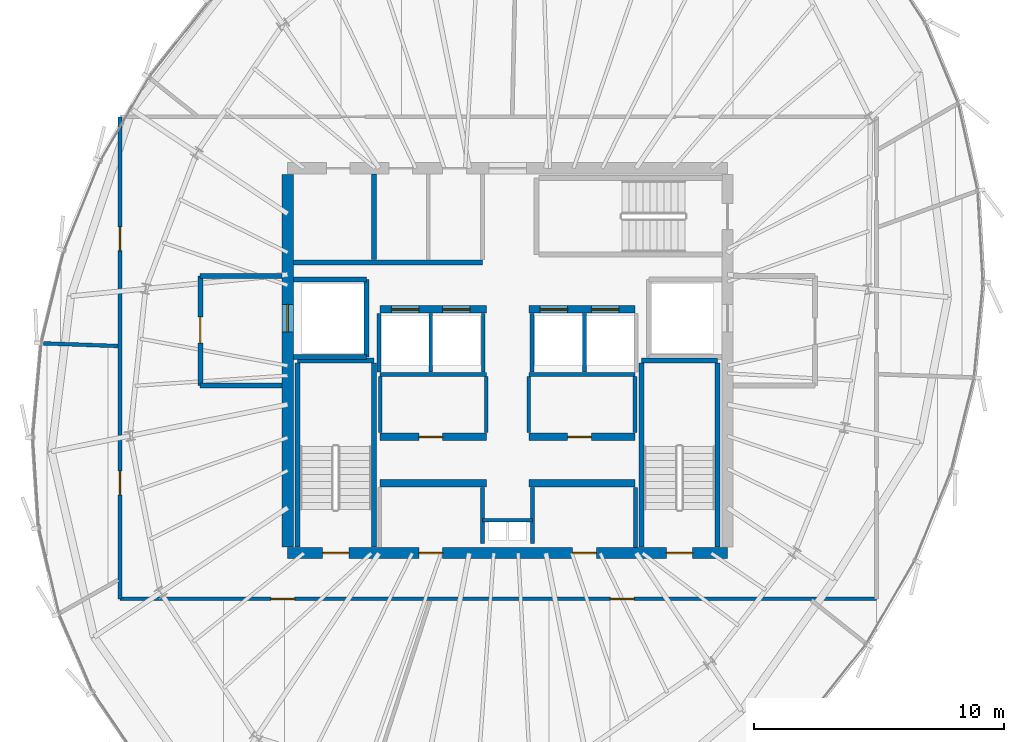
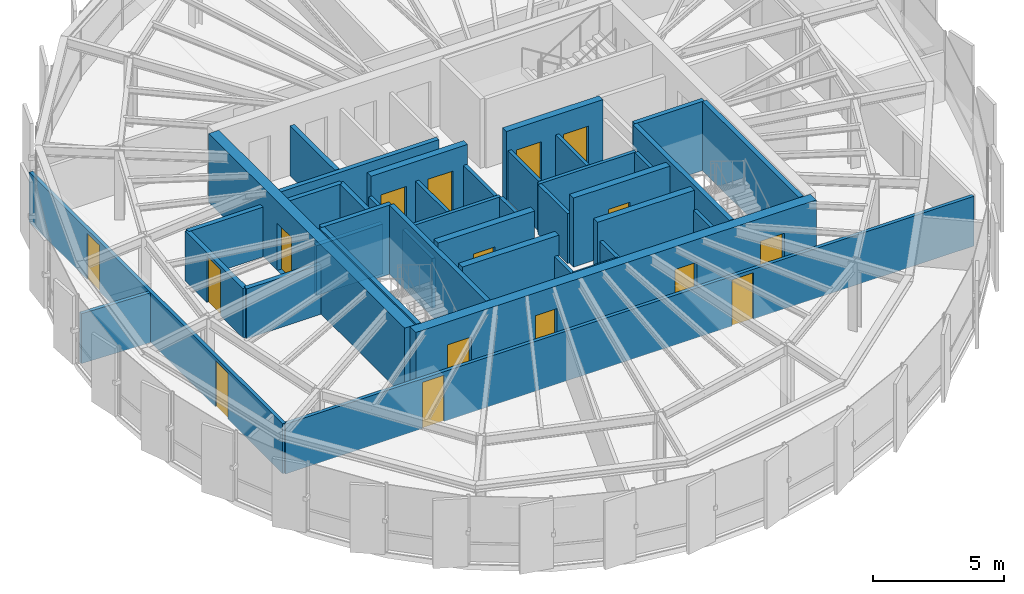
# One storey, part 25 of 31: 40 walls, 16 doors, 16 openings.
"""IFC4 building model written with IfcOpenShell, lengths in metres."""

import ifcopenshell
import ifcopenshell.guid

model = None  # the IFC model being written
_history = None  # IfcOwnerHistory: only IFC2X3 demands one
_inside = {}  # id of a spatial element -> (the spatial element, [elements in it])
_under = {}  # id of a project, library or spatial element -> (it, [spatial elements below it])
_declared = {}  # id of a project -> (the project, [libraries it declares])
_typed = {}  # id of a type object -> (the type object, [elements of that type])
_made_of = {}  # id of a material, layer set ... -> (it, [elements and type objects made of it])


def new_model(schema):
    """Start an empty IFC model of exactly this schema.

    Asked for "IFC4X3", IfcOpenShell would pick the latest addendum, in which some entities
    have other attributes; the version numbers below select the first issue.
    IFC2X3 requires an IfcOwnerHistory on every rooted entity: one is made here for all.
    """
    global model, _history
    if schema == "IFC4X3":
        model = ifcopenshell.file(schema_version=(4, 3, 0, 0))
    else:
        model = ifcopenshell.file(schema=schema)
    _inside.clear()
    _under.clear()
    _declared.clear()
    _typed.clear()
    _made_of.clear()
    _history = None
    if model.schema == "IFC2X3":
        org = make("IfcOrganization", Name="unknown")
        user = make(
            "IfcPersonAndOrganization",
            ThePerson=make("IfcPerson", FamilyName="unknown"),
            TheOrganization=org,
        )
        app = make(
            "IfcApplication",
            ApplicationDeveloper=org,
            Version="unknown",
            ApplicationFullName="unknown",
            ApplicationIdentifier="unknown",
        )
        _history = make(
            "IfcOwnerHistory",
            OwningUser=user,
            OwningApplication=app,
            ChangeAction="ADDED",
            CreationDate=0,
        )
    return model


def make(cls, **values):
    """One entity of the class cls with the attributes given. An attribute that is None is left unset."""
    return model.create_entity(
        cls, **{name: value for name, value in values.items() if value is not None}
    )


def rooted(cls, **values):
    """An entity with a GlobalId (a new one), such as an element, a storey or a relation."""
    return make(cls, GlobalId=ifcopenshell.guid.new(), OwnerHistory=_history, **values)


def si_unit(unit_type, name, prefix=None):
    """IfcSIUnit, for example si_unit("LENGTHUNIT", "METRE", prefix="MILLI")."""
    return make("IfcSIUnit", UnitType=unit_type, Prefix=prefix, Name=name)


def assignment(units):
    """IfcUnitAssignment: the units of a project."""
    return None if units is None else make("IfcUnitAssignment", Units=units)


def point(xyz):
    """IfcCartesianPoint."""
    return None if xyz is None else make("IfcCartesianPoint", Coordinates=xyz)


def direction(xyz):
    """IfcDirection."""
    return None if xyz is None else make("IfcDirection", DirectionRatios=xyz)


def frame(location, z_axis=None, x_axis=None):
    """IfcAxis2Placement3D, a coordinate frame: its origin and axes. An axis left out is left unset."""
    return make(
        "IfcAxis2Placement3D",
        Location=point(location),
        Axis=direction(z_axis),
        RefDirection=direction(x_axis),
    )


def frame_2d(location, x_axis=None):
    """IfcAxis2Placement2D, a coordinate frame in the plane: its origin and x axis."""
    return make(
        "IfcAxis2Placement2D", Location=point(location), RefDirection=direction(x_axis)
    )


def origin():
    """The frame at (0, 0, 0) with its axes left unset."""
    return frame((0.0, 0.0, 0.0))


def place(relative_to, where):
    """IfcLocalPlacement: puts the frame where relative to a parent placement (None: the world)."""
    return make(
        "IfcLocalPlacement", PlacementRelTo=relative_to, RelativePlacement=where
    )


def context(
    kind, dimensions, precision=None, world=None, true_north=None, identifier=None
):
    """IfcGeometricRepresentationContext, for example the 3D "Model" context."""
    return make(
        "IfcGeometricRepresentationContext",
        ContextIdentifier=identifier,
        ContextType=kind,
        CoordinateSpaceDimension=dimensions,
        Precision=precision,
        WorldCoordinateSystem=world,
        TrueNorth=true_north,
    )


def subcontext(parent, identifier, kind, view, scale=None):
    """IfcGeometricRepresentationSubContext, for example "Body" below "Model"."""
    return make(
        "IfcGeometricRepresentationSubContext",
        ContextIdentifier=identifier,
        ContextType=kind,
        ParentContext=parent,
        TargetScale=scale,
        TargetView=view,
    )


def project(units=None, contexts=None):
    """IfcProject with its units and contexts."""
    return rooted(
        "IfcProject",
        Name="project",
        RepresentationContexts=contexts,
        UnitsInContext=assignment(units),
    )


def spatial(cls, under=None, at=None, **own):
    """A site, building, storey or space (cls), placed at a placement, below another one or the project."""
    s = rooted(cls, ObjectPlacement=at, **own)
    if under is not None:
        _under.setdefault(under.id(), (under, []))[1].append(s)
    return s


def profile(cls, at=None, kind="AREA", **sizes):
    """A parametric profile (cls). Its sizes go by their IFC names, for example OverallWidth=200.0."""
    return make(cls, ProfileType=kind, Position=at, **sizes)


def rectangle(**sizes):
    """IfcRectangleProfileDef."""
    return profile("IfcRectangleProfileDef", **sizes)


def extrude(swept, where, along, depth):
    """IfcExtrudedAreaSolid: the profile swept, set in the frame where, extruded along a direction by depth."""
    return make(
        "IfcExtrudedAreaSolid",
        SweptArea=swept,
        Position=where,
        ExtrudedDirection=direction(along),
        Depth=depth,
    )


def shape(context_of_items, identifier, shape_type, items):
    """IfcShapeRepresentation: the items that make up one representation, for example the "Body"."""
    return make(
        "IfcShapeRepresentation",
        ContextOfItems=context_of_items,
        RepresentationIdentifier=identifier,
        RepresentationType=shape_type,
        Items=items,
    )


def source(mapping_origin, context_of_items, identifier, shape_type, items):
    """IfcRepresentationMap: a shape defined once, which mapped items show again and again."""
    return make(
        "IfcRepresentationMap",
        MappingOrigin=mapping_origin,
        MappedRepresentation=shape(context_of_items, identifier, shape_type, items),
    )


def transform(
    local_origin,
    x_axis=None,
    y_axis=None,
    z_axis=None,
    scale=None,
    scale2=None,
    scale3=None,
    uniform=True,
):
    """IfcCartesianTransformationOperator3D, or its non-uniform kind. x_axis, y_axis, z_axis: its Axis1, 2, 3."""
    if uniform:
        return make(
            "IfcCartesianTransformationOperator3D",
            Axis1=direction(x_axis),
            Axis2=direction(y_axis),
            LocalOrigin=point(local_origin),
            Scale=scale,
            Axis3=direction(z_axis),
        )
    return make(
        "IfcCartesianTransformationOperator3DnonUniform",
        Axis1=direction(x_axis),
        Axis2=direction(y_axis),
        LocalOrigin=point(local_origin),
        Scale=scale,
        Axis3=direction(z_axis),
        Scale2=scale2,
        Scale3=scale3,
    )


def mapped(mapping_source, mapping_target):
    """IfcMappedItem: shows the shape of a source again, moved by a transform."""
    return make(
        "IfcMappedItem", MappingSource=mapping_source, MappingTarget=mapping_target
    )


def material(Name=None, Category=None):
    """IfcMaterial."""
    return make("IfcMaterial", Name=Name, Category=Category)


def layer(
    of_material, thickness, ventilated=None, Name=None, Category=None, Priority=None
):
    """IfcMaterialLayer: one layer of a wall or slab, of a material (None: an air gap)."""
    return make(
        "IfcMaterialLayer",
        Material=of_material,
        LayerThickness=thickness,
        IsVentilated=ventilated,
        Name=Name,
        Category=Category,
        Priority=Priority,
    )


def layer_set(layers, Name=None):
    """IfcMaterialLayerSet."""
    return make("IfcMaterialLayerSet", MaterialLayers=layers, LayerSetName=Name)


def made_of(thing, what):
    """Note that an element or type object is made of a material, layer set ...; save() writes the relation."""
    if what is not None:
        _made_of.setdefault(what.id(), (what, []))[1].append(thing)
    return thing


def type_object(cls, material=None, **own):
    """A type object (cls), such as IfcWallType, which elements share."""
    return made_of(rooted(cls, **own), material)


def element(
    cls,
    number,
    at=None,
    inside=None,
    cuts=None,
    type_object=None,
    material=None,
    context=None,
    identifier="Body",
    shape_type=None,
    held_by="IfcProductDefinitionShape",
    body=None,
    shapes=None,
    **own,
):
    """One element of the class cls, such as IfcWall. Its Tag is "e" and its number.

    at: its placement. inside: the storey or other place that contains it. cuts: it is an
    opening in that element (IfcRelVoidsElement). A single representation is given by context,
    identifier, shape_type and body (its items); several are given by shapes. held_by: the class
    of the entity that holds the representations. save() writes the other relations.
    """
    e = rooted(cls, Tag="e%d" % number, ObjectPlacement=at, **own)
    if body is not None:
        shapes = [shape(context, identifier, shape_type, body)]
    if shapes is not None:
        e.Representation = make(held_by, Representations=shapes)
    if inside is not None:
        _inside.setdefault(inside.id(), (inside, []))[1].append(e)
    if cuts is not None:
        rooted(
            "IfcRelVoidsElement", RelatingBuildingElement=cuts, RelatedOpeningElement=e
        )
    if type_object is not None:
        _typed.setdefault(type_object.id(), (type_object, []))[1].append(e)
    return made_of(e, material)


def fill(opening, filler):
    """IfcRelFillsElement: the door or window that sits in an opening."""
    return rooted(
        "IfcRelFillsElement",
        RelatingOpeningElement=opening,
        RelatedBuildingElement=filler,
    )


def aggregate(whole, parts):
    """IfcRelAggregates: a whole, such as a stair, and the parts it consists of."""
    return rooted("IfcRelAggregates", RelatingObject=whole, RelatedObjects=parts)


def save(model, path):
    """Write the relations noted so far, then the file.

    IfcRelAggregates (storeys below a building ...), IfcRelContainedInSpatialStructure (elements
    in a storey), IfcRelDefinesByType, IfcRelAssociatesMaterial and IfcRelDeclares: one each for
    every whole, place, type object, material and project.
    """
    for whole, parts in _under.values():
        aggregate(whole, parts)
    for where, things in _inside.values():
        rooted(
            "IfcRelContainedInSpatialStructure",
            RelatedElements=things,
            RelatingStructure=where,
        )
    for kind, things in _typed.values():
        rooted("IfcRelDefinesByType", RelatedObjects=things, RelatingType=kind)
    for what, things in _made_of.values():
        rooted("IfcRelAssociatesMaterial", RelatedObjects=things, RelatingMaterial=what)
    for by, libraries in _declared.values():
        rooted("IfcRelDeclares", RelatingContext=by, RelatedDefinitions=libraries)
    model.write(path)


model = new_model("IFC4")

# Units and contexts
model_context = context("Model", 3, precision=1e-05, world=origin(), true_north=direction((0.0, 1.0)))
body_context = subcontext(model_context, "Body", "Model", "MODEL_VIEW")
ifc_project = project(units=[si_unit("LENGTHUNIT", "METRE"), si_unit("AREAUNIT", "SQUARE_METRE"), si_unit("VOLUMEUNIT", "CUBIC_METRE"), si_unit("PLANEANGLEUNIT", "RADIAN"), si_unit("MASSUNIT", "GRAM", prefix="KILO"), si_unit("THERMODYNAMICTEMPERATUREUNIT", "KELVIN")], contexts=[model_context])

# Site, building, storey
site_placement = place(None, origin())
site = spatial("IfcSite", under=ifc_project, at=site_placement, CompositionType="ELEMENT")
building_placement = place(site_placement, origin())
building = spatial("IfcBuilding", under=site, at=building_placement, Name="Kethvar Cultural Tower", CompositionType="ELEMENT")
storey_placement = place(building_placement, frame((0.0, 0.0, 290.5)))
storey = spatial("IfcBuildingStorey", under=building, at=storey_placement, Name="L77", CompositionType="ELEMENT", Elevation=290.5)

# Wall, openings, doors
ifc_material_1 = material(Name="Concrete C50/60", Category="concrete")
ifc_layer_1 = layer(ifc_material_1, 0.449951171875, Name="Concrete C50/60", Category="concrete")
ifc_layer_set_1 = layer_set([ifc_layer_1], Name="Concrete C50/60 (450 mm)")
wall_type_1 = type_object("IfcWallType", Name="WL-CORE-450", PredefinedType="SHEAR", material=ifc_layer_set_1)
wall_1_placement = place(storey_placement, frame((38.0, 20.10009765625, 0.0), z_axis=(0.0, 0.0, 1.0), x_axis=(1.0, 0.0, 0.0)))
wall_1 = element("IfcWall", 1, at=wall_1_placement, inside=storey, type_object=wall_type_1, Name="L77 Core Shear Wall S", PredefinedType="SHEAR", context=body_context, shape_type="SweptSolid", body=[
    extrude(rectangle(XDim=17.60009765625, YDim=0.449951171875, at=frame_2d((8.800048828125, 0.0))), origin(), (0.0, 0.0, 1.0), 3.2099609375),
])
opening_1_placement = place(wall_1_placement, frame((1.39990234375, 0.0, 0.0)))
opening_1 = element("IfcOpeningElement", 2, at=opening_1_placement, cuts=wall_1, Name="Opening D-L77-S1", PredefinedType="OPENING", context=body_context, shape_type="SweptSolid", body=[
    extrude(rectangle(XDim=1.050048828125, YDim=2.14990234375, at=frame_2d((0.52490234375, 1.074951171875))), frame((0.0, 0.23486328125, 0.0), z_axis=(0.0, -1.0, 0.0), x_axis=(1.0, 0.0, 0.0)), (0.0, 0.0, 1.0), 0.469970703125),
])
opening_2_placement = place(wall_1_placement, frame((15.14990234375, 0.0, 0.0)))
opening_2 = element("IfcOpeningElement", 3, at=opening_2_placement, cuts=wall_1, Name="Opening D-L77-ST2", PredefinedType="OPENING", context=body_context, shape_type="SweptSolid", body=[
    extrude(rectangle(XDim=1.050048828125, YDim=2.14990234375, at=frame_2d((0.52490234375, 1.074951171875))), frame((0.0, 0.23486328125, 0.0), z_axis=(0.0, -1.0, 0.0), x_axis=(1.0, 0.0, 0.0)), (0.0, 0.0, 1.0), 0.469970703125),
])
opening_3_placement = place(wall_1_placement, frame((5.25, 0.0, 0.0)))
opening_3 = element("IfcOpeningElement", 4, at=opening_3_placement, cuts=wall_1, Name="Opening D-L77-V1", PredefinedType="OPENING", context=body_context, shape_type="SweptSolid", body=[
    extrude(rectangle(XDim=0.949951171875, YDim=2.14990234375, at=frame_2d((0.47509765625, 1.074951171875))), frame((0.0, 0.23486328125, 0.0), z_axis=(0.0, -1.0, 0.0), x_axis=(1.0, 0.0, 0.0)), (0.0, 0.0, 1.0), 0.469970703125),
])
opening_4_placement = place(wall_1_placement, frame((11.39990234375, 0.0, 0.0)))
opening_4 = element("IfcOpeningElement", 5, at=opening_4_placement, cuts=wall_1, Name="Opening D-L77-V2", PredefinedType="OPENING", context=body_context, shape_type="SweptSolid", body=[
    extrude(rectangle(XDim=0.949951171875, YDim=2.14990234375, at=frame_2d((0.47509765625, 1.074951171875))), frame((0.0, 0.23486328125, 0.0), z_axis=(0.0, -1.0, 0.0), x_axis=(1.0, 0.0, 0.0)), (0.0, 0.0, 1.0), 0.469970703125),
])
ifc_material_2 = material(Name="Steel S355J2", Category="steel")
door_type_1 = type_object("IfcDoorType", Name="DR-FD60-1050", OperationType="NOTDEFINED", PredefinedType="DOOR", material=ifc_material_2)
shared_shape_1 = source(origin(), body_context, "Body", "SweptSolid", [
    extrude(rectangle(XDim=1.050048828125, YDim=2.14990234375, at=frame_2d((0.52490234375, 1.074951171875))), frame((0.0, 0.02490234375, 0.0), z_axis=(0.0, -1.0, 0.0), x_axis=(1.0, 0.0, 0.0)), (0.0, 0.0, 1.0), 0.050048828125),
])
door_1_placement = place(opening_1_placement, origin())
door_1 = element("IfcDoor", 6, at=door_1_placement, inside=storey, type_object=door_type_1, Name="L77 Exit Stair 1 Door", OperationType="SINGLE_SWING_LEFT", OverallHeight=2.14990234375, OverallWidth=1.050048828125, PredefinedType="DOOR", context=body_context, shape_type="MappedRepresentation", body=[
    mapped(shared_shape_1, transform((0.0, 0.0, 0.0), scale=1.0)),
])
fill(opening_1, door_1)
door_2_placement = place(opening_2_placement, origin())
door_2 = element("IfcDoor", 7, at=door_2_placement, inside=storey, type_object=door_type_1, Name="L77 Exit Stair 2 Door", OperationType="SINGLE_SWING_RIGHT", OverallHeight=2.14990234375, OverallWidth=1.050048828125, PredefinedType="DOOR", context=body_context, shape_type="MappedRepresentation", body=[
    mapped(shared_shape_1, transform((0.0, 0.0, 0.0), scale=1.0)),
])
fill(opening_2, door_2)
ifc_material_3 = material(Name="Architectural Oak Timber", Category="wood")
door_type_2 = type_object("IfcDoorType", Name="DR-FD30-950", OperationType="NOTDEFINED", PredefinedType="DOOR", material=ifc_material_3)
shared_shape_2 = source(origin(), body_context, "Body", "SweptSolid", [
    extrude(rectangle(XDim=0.949951171875, YDim=2.14990234375, at=frame_2d((0.47509765625, 1.074951171875))), frame((0.0, 0.02490234375, 0.0), z_axis=(0.0, -1.0, 0.0), x_axis=(1.0, 0.0, 0.0)), (0.0, 0.0, 1.0), 0.050048828125),
])
door_3_placement = place(opening_3_placement, origin())
door_3 = element("IfcDoor", 8, at=door_3_placement, inside=storey, type_object=door_type_2, Name="L77 Reclaimed West Room Door", OperationType="SINGLE_SWING_LEFT", OverallHeight=2.14990234375, OverallWidth=0.949951171875, PredefinedType="DOOR", context=body_context, shape_type="MappedRepresentation", body=[
    mapped(shared_shape_2, transform((0.0, 0.0, 0.0), scale=1.0)),
])
fill(opening_3, door_3)
door_4_placement = place(opening_4_placement, origin())
door_4 = element("IfcDoor", 9, at=door_4_placement, inside=storey, type_object=door_type_2, Name="L77 Reclaimed East Room Door", OperationType="SINGLE_SWING_RIGHT", OverallHeight=2.14990234375, OverallWidth=0.949951171875, PredefinedType="DOOR", context=body_context, shape_type="MappedRepresentation", body=[
    mapped(shared_shape_2, transform((0.0, 0.0, 0.0), scale=1.0)),
])
fill(opening_4, door_4)

# Wall, opening, door
wall_2_placement = place(storey_placement, frame((38.0, 35.260009765625, 0.0), z_axis=(0.0, 0.0, 1.0), x_axis=(0.0, -1.0, 0.0)))
wall_2 = element("IfcWall", 10, at=wall_2_placement, inside=storey, type_object=wall_type_1, Name="L77 Core Shear Wall W", PredefinedType="SHEAR", context=body_context, shape_type="SweptSolid", body=[
    extrude(rectangle(XDim=14.919921875, YDim=0.449951171875, at=frame_2d((7.4599609375, 0.0))), origin(), (0.0, 0.0, 1.0), 3.2099609375),
])
opening_5_placement = place(wall_2_placement, frame((5.2099609375, 0.0, 0.0)))
opening_5 = element("IfcOpeningElement", 11, at=opening_5_placement, cuts=wall_2, Name="Opening LD-1", PredefinedType="OPENING", context=body_context, shape_type="SweptSolid", body=[
    extrude(rectangle(XDim=1.10009765625, YDim=2.199951171875, at=frame_2d((0.550048828125, 1.10009765625))), frame((0.0, 0.23486328125, 0.0), z_axis=(0.0, -1.0, 0.0), x_axis=(1.0, 0.0, 0.0)), (0.0, 0.0, 1.0), 0.469970703125),
])
door_type_3 = type_object("IfcDoorType", Name="DR-LIFT-SLIDE-1100", OperationType="NOTDEFINED", PredefinedType="DOOR", material=ifc_material_2)
shared_shape_3 = source(origin(), body_context, "Body", "SweptSolid", [
    extrude(rectangle(XDim=1.10009765625, YDim=2.199951171875, at=frame_2d((0.550048828125, 1.10009765625))), frame((0.0, 0.02490234375, 0.0), z_axis=(0.0, -1.0, 0.0), x_axis=(1.0, 0.0, 0.0)), (0.0, 0.0, 1.0), 0.050048828125),
])
door_5_placement = place(opening_5_placement, origin())
door_5 = element("IfcDoor", 12, at=door_5_placement, inside=storey, type_object=door_type_3, Name="L77 Firefighting Lift Landing Door FFL-01", OperationType="SLIDING_TO_LEFT", OverallHeight=2.199951171875, OverallWidth=1.10009765625, PredefinedType="DOOR", context=body_context, shape_type="MappedRepresentation", body=[
    mapped(shared_shape_3, transform((0.0, 0.0, 0.0), scale=1.0)),
])
fill(opening_5, door_5)

# Walls
ifc_material_4 = material(Name="Gypsum Fireboard Partition")
ifc_layer_2 = layer(ifc_material_4, 0.14990234375, Name="Gypsum Fireboard Partition")
ifc_layer_set_2 = layer_set([ifc_layer_2], Name="Gypsum Fireboard Partition (150 mm)")
wall_type_2 = type_object("IfcWallType", Name="WL-FIRE-150", PredefinedType="PARTITIONING", material=ifc_layer_set_2)
wall_3_placement = place(storey_placement, frame((45.800048828125, 21.419921875, 0.0), z_axis=(0.0, 0.0, 1.0), x_axis=(1.0, 0.0, 0.0)))
element("IfcWall", 13, at=wall_3_placement, inside=storey, type_object=wall_type_2, Name="L77 Core Riser Wall", PredefinedType="PARTITIONING", context=body_context, shape_type="SweptSolid", body=[
    extrude(rectangle(XDim=2.0, YDim=0.14990234375, at=frame_2d((1.0, 0.0))), origin(), (0.0, 0.0, 1.0), 2.31494140625),
])
for number, where, z_axis, x_axis, name in (
    (14, (45.800048828125, 20.47998046875, 0.0), (0.0, 0.0, 1.0), (0.0, 1.0, 0.0), "L77 Core Riser West Wall"),
    (15, (47.800048828125, 20.47998046875, 0.0), (0.0, 0.0, 1.0), (0.0, 1.0, 0.0), "L77 Core Riser East Wall"),
):
    element("IfcWall", number, at=place(storey_placement, frame(where, z_axis=z_axis, x_axis=x_axis)), inside=storey, type_object=wall_type_2, Name=name, PredefinedType="PARTITIONING", context=body_context, shape_type="SweptSolid", body=[
        extrude(rectangle(XDim=2.239990234375, YDim=0.14990234375, at=frame_2d((1.1201171875, 0.0))), origin(), (0.0, 0.0, 1.0), 2.31494140625),
    ])
wall_4_placement = place(storey_placement, frame((51.919921875, 20.3349609375, 0.0), z_axis=(0.0, 0.0, 1.0), x_axis=(0.0, 1.0, 0.0)))
element("IfcWall", 16, at=wall_4_placement, inside=storey, type_object=wall_type_2, Name="L77 Reclaimed East Outer Wall", PredefinedType="PARTITIONING", context=body_context, shape_type="SweptSolid", body=[
    extrude(rectangle(XDim=2.39501953125, YDim=0.14990234375, at=frame_2d((1.197509765625, 0.0))), origin(), (0.0, 0.0, 1.0), 2.31494140625),
])
for number, where, z_axis, x_axis, name in (
    (17, (41.699951171875, 27.25, 0.0), (0.0, 0.0, 1.0), (1.0, 0.0, 0.0), "L77 Reclaimed Mid Wall W"),
    (18, (47.64990234375, 27.25, 0.0), (0.0, 0.0, 1.0), (1.0, 0.0, 0.0), "L77 Reclaimed Mid Wall E"),
):
    element("IfcWall", number, at=place(storey_placement, frame(where, z_axis=z_axis, x_axis=x_axis)), inside=storey, type_object=wall_type_2, Name=name, PredefinedType="PARTITIONING", context=body_context, shape_type="SweptSolid", body=[
        extrude(rectangle(XDim=4.25, YDim=0.14990234375, at=frame_2d((2.125, 0.0))), origin(), (0.0, 0.0, 1.0), 2.31494140625),
    ])
for number, where, z_axis, x_axis, name in (
    (19, (41.699951171875, 24.919921875, 0.0), (0.0, 0.0, 1.0), (0.0, 1.0, 0.0), "L77 Reclaimed Mid Outer W"),
    (20, (45.949951171875, 24.919921875, 0.0), (0.0, 0.0, 1.0), (0.0, 1.0, 0.0), "L77 Reclaimed Mid Spine W"),
    (21, (47.64990234375, 24.919921875, 0.0), (0.0, 0.0, 1.0), (0.0, 1.0, 0.0), "L77 Reclaimed Mid Spine E"),
    (22, (51.89990234375, 24.919921875, 0.0), (0.0, 0.0, 1.0), (0.0, 1.0, 0.0), "L77 Reclaimed Mid Outer E"),
):
    element("IfcWall", number, at=place(storey_placement, frame(where, z_axis=z_axis, x_axis=x_axis)), inside=storey, type_object=wall_type_2, Name=name, PredefinedType="PARTITIONING", context=body_context, shape_type="SweptSolid", body=[
        extrude(rectangle(XDim=2.239990234375, YDim=0.14990234375, at=frame_2d((1.1201171875, 0.0))), origin(), (0.0, 0.0, 1.0), 2.31494140625),
    ])
for number, where, z_axis, x_axis, name in (
    (23, (41.64990234375, 27.340087890625, 0.0), (0.0, 0.0, 1.0), (0.0, 1.0, 0.0), "L77 High-Rise Lift Shaft Outer Wall W"),
    (24, (43.72509765625, 27.340087890625, 0.0), (0.0, 0.0, 1.0), (0.0, 1.0, 0.0), "L77 High-Rise Lift Shaft Divider W"),
    (25, (45.824951171875, 27.340087890625, 0.0), (0.0, 0.0, 1.0), (0.0, 1.0, 0.0), "L77 High-Rise Lift Shaft Concourse Wall W"),
    (26, (47.77490234375, 27.340087890625, 0.0), (0.0, 0.0, 1.0), (0.0, 1.0, 0.0), "L77 High-Rise Lift Shaft Concourse Wall E"),
    (27, (49.875, 27.340087890625, 0.0), (0.0, 0.0, 1.0), (0.0, 1.0, 0.0), "L77 High-Rise Lift Shaft Divider E"),
):
    element("IfcWall", number, at=place(storey_placement, frame(where, z_axis=z_axis, x_axis=x_axis)), inside=storey, type_object=wall_type_2, Name=name, PredefinedType="PARTITIONING", context=body_context, shape_type="SweptSolid", body=[
        extrude(rectangle(XDim=2.33984375, YDim=0.14990234375, at=frame_2d((1.169921875, 0.0))), origin(), (0.0, 0.0, 1.0), 2.31494140625),
    ])

# Wall, openings, doors
wall_5_placement = place(storey_placement, frame((31.2900390625, 18.26904296875, 0.0), z_axis=(0.0, 0.0, 1.0), x_axis=(1.0, 0.0, 0.0)))
wall_5 = element("IfcWall", 28, at=wall_5_placement, inside=storey, type_object=wall_type_2, Name="L77 Corridor Rated Wall S", PredefinedType="PARTITIONING", context=body_context, shape_type="SweptSolid", body=[
    extrude(rectangle(XDim=30.27392578125, YDim=0.14990234375, at=frame_2d((15.136962890625, 0.0))), origin(), (0.0, 0.0, 1.0), 2.31494140625),
])
opening_6_placement = place(wall_5_placement, frame((6.032958984375, 0.0, 0.0)))
opening_6 = element("IfcOpeningElement", 29, at=opening_6_placement, cuts=wall_5, Name="Opening D-L77-01", PredefinedType="OPENING", context=body_context, shape_type="SweptSolid", body=[
    extrude(rectangle(XDim=0.949951171875, YDim=2.14990234375, at=frame_2d((0.47509765625, 1.074951171875))), frame((0.0, 0.0849609375, 0.0), z_axis=(0.0, -1.0, 0.0), x_axis=(1.0, 0.0, 0.0)), (0.0, 0.0, 1.0), 0.169921875),
])
opening_7_placement = place(wall_5_placement, frame((19.62451171875, 0.0, 0.0)))
opening_7 = element("IfcOpeningElement", 30, at=opening_7_placement, cuts=wall_5, Name="Opening D-L77-02", PredefinedType="OPENING", context=body_context, shape_type="SweptSolid", body=[
    extrude(rectangle(XDim=0.949951171875, YDim=2.14990234375, at=frame_2d((0.47509765625, 1.074951171875))), frame((0.0, 0.0849609375, 0.0), z_axis=(0.0, -1.0, 0.0), x_axis=(1.0, 0.0, 0.0)), (0.0, 0.0, 1.0), 0.169921875),
])
door_6_placement = place(opening_6_placement, origin())
door_6 = element("IfcDoor", 31, at=door_6_placement, inside=storey, type_object=door_type_2, Name="L77 Museum Design Book Shop 01 Door", OperationType="SINGLE_SWING_RIGHT", OverallHeight=2.14990234375, OverallWidth=0.949951171875, PredefinedType="DOOR", context=body_context, shape_type="MappedRepresentation", body=[
    mapped(shared_shape_2, transform((0.0, 0.0, 0.0), scale=1.0)),
])
fill(opening_6, door_6)
door_7_placement = place(opening_7_placement, origin())
door_7 = element("IfcDoor", 32, at=door_7_placement, inside=storey, type_object=door_type_2, Name="L77 Exhibition Print Shop 02 Door", OperationType="SINGLE_SWING_LEFT", OverallHeight=2.14990234375, OverallWidth=0.949951171875, PredefinedType="DOOR", context=body_context, shape_type="MappedRepresentation", body=[
    mapped(shared_shape_2, transform((0.0, 0.0, 0.0), scale=1.0)),
])
fill(opening_7, door_7)

wall_6_placement = place(storey_placement, frame((31.2900390625, 37.56201171875, 0.0), z_axis=(0.0, 0.0, 1.0), x_axis=(0.0, -1.0, 0.0)))
wall_6 = element("IfcWall", 33, at=wall_6_placement, inside=storey, type_object=wall_type_2, Name="L77 Corridor Rated Wall W", PredefinedType="PARTITIONING", context=body_context, shape_type="SweptSolid", body=[
    extrude(rectangle(XDim=19.29296875, YDim=0.14990234375, at=frame_2d((9.646484375, 0.0))), origin(), (0.0, 0.0, 1.0), 2.31494140625),
])
opening_8_placement = place(wall_6_placement, frame((4.4033203125, 0.0, 0.0)))
opening_8 = element("IfcOpeningElement", 34, at=opening_8_placement, cuts=wall_6, Name="Opening D-L77-08", PredefinedType="OPENING", context=body_context, shape_type="SweptSolid", body=[
    extrude(rectangle(XDim=0.949951171875, YDim=2.14990234375, at=frame_2d((0.47509765625, 1.074951171875))), frame((0.0, 0.0849609375, 0.0), z_axis=(0.0, -1.0, 0.0), x_axis=(1.0, 0.0, 0.0)), (0.0, 0.0, 1.0), 0.169921875),
])
opening_9_placement = place(wall_6_placement, frame((14.180908203125, 0.0, 0.0)))
opening_9 = element("IfcOpeningElement", 35, at=opening_9_placement, cuts=wall_6, Name="Opening D-L77-09", PredefinedType="OPENING", context=body_context, shape_type="SweptSolid", body=[
    extrude(rectangle(XDim=0.949951171875, YDim=2.14990234375, at=frame_2d((0.47509765625, 1.074951171875))), frame((0.0, 0.0849609375, 0.0), z_axis=(0.0, -1.0, 0.0), x_axis=(1.0, 0.0, 0.0)), (0.0, 0.0, 1.0), 0.169921875),
])
door_8_placement = place(opening_8_placement, origin())
door_8 = element("IfcDoor", 36, at=door_8_placement, inside=storey, type_object=door_type_2, Name="L77 Institute Tea Pantry 08 Door", OperationType="SINGLE_SWING_LEFT", OverallHeight=2.14990234375, OverallWidth=0.949951171875, PredefinedType="DOOR", context=body_context, shape_type="MappedRepresentation", body=[
    mapped(shared_shape_2, transform((0.0, 0.0, 0.0), scale=1.0)),
])
fill(opening_8, door_8)
door_9_placement = place(opening_9_placement, origin())
door_9 = element("IfcDoor", 37, at=door_9_placement, inside=storey, type_object=door_type_2, Name="L77 Hospitality Sitting Lounge 09 Door", OperationType="SINGLE_SWING_RIGHT", OverallHeight=2.14990234375, OverallWidth=0.949951171875, PredefinedType="DOOR", context=body_context, shape_type="MappedRepresentation", body=[
    mapped(shared_shape_2, transform((0.0, 0.0, 0.0), scale=1.0)),
])
fill(opening_9, door_9)

# Walls
ifc_material_5 = material(Name="Concrete C40/50", Category="concrete")
ifc_layer_3 = layer(ifc_material_5, 0.199951171875, Name="Concrete C40/50", Category="concrete")
ifc_layer_set_3 = layer_set([ifc_layer_3], Name="Concrete C40/50 (200 mm)")
wall_type_3 = type_object("IfcWallType", Name="WL-FIRE-200", PredefinedType="PARTITIONING", material=ifc_layer_set_3)
wall_7_placement = place(storey_placement, frame((41.14990234375, 27.949951171875, 0.0), z_axis=(0.0, 0.0, 1.0), x_axis=(0.0, 1.0, 0.0)))
element("IfcWall", 38, at=wall_7_placement, inside=storey, type_object=wall_type_3, Name="L77 FFL-01 Shaft Inner Wall", PredefinedType="PARTITIONING", context=body_context, shape_type="SweptSolid", body=[
    extrude(rectangle(XDim=3.10009765625, YDim=0.199951171875, at=frame_2d((1.550048828125, 0.0))), origin(), (0.0, 0.0, 1.0), 2.31494140625),
])
for number, where, z_axis, x_axis, name in (
    (39, (38.235107421875, 27.949951171875, 0.0), (0.0, 0.0, 1.0), (1.0, 0.0, 0.0), "L77 FFL-01 Shaft South Wall"),
    (40, (38.235107421875, 31.050048828125, 0.0), (0.0, 0.0, 1.0), (1.0, 0.0, 0.0), "L77 FFL-01 Shaft North Wall"),
):
    element("IfcWall", number, at=place(storey_placement, frame(where, z_axis=z_axis, x_axis=x_axis)), inside=storey, type_object=wall_type_3, Name=name, PredefinedType="PARTITIONING", context=body_context, shape_type="SweptSolid", body=[
        extrude(rectangle(XDim=2.914794921875, YDim=0.199951171875, at=frame_2d((1.45751953125, 0.0))), origin(), (0.0, 0.0, 1.0), 2.31494140625),
    ])

# Wall, opening, door
wall_8_placement = place(storey_placement, frame((34.5, 31.199951171875, 0.0), z_axis=(0.0, 0.0, 1.0), x_axis=(0.0, -1.0, 0.0)))
wall_8 = element("IfcWall", 41, at=wall_8_placement, inside=storey, type_object=wall_type_3, Name="L77 Firefighting Lobby 1 Wall", PredefinedType="PARTITIONING", context=body_context, shape_type="SweptSolid", body=[
    extrude(rectangle(XDim=4.39990234375, YDim=0.199951171875, at=frame_2d((2.199951171875, 0.0))), origin(), (0.0, 0.0, 1.0), 2.31494140625),
])
opening_10_placement = place(wall_8_placement, frame((1.64990234375, 0.0, 0.0)))
opening_10 = element("IfcOpeningElement", 42, at=opening_10_placement, cuts=wall_8, Name="Opening D-L77-F1", PredefinedType="OPENING", context=body_context, shape_type="SweptSolid", body=[
    extrude(rectangle(XDim=1.050048828125, YDim=2.14990234375, at=frame_2d((0.52490234375, 1.074951171875))), frame((0.0, 0.10986328125, 0.0), z_axis=(0.0, -1.0, 0.0), x_axis=(1.0, 0.0, 0.0)), (0.0, 0.0, 1.0), 0.219970703125),
])
door_10_placement = place(opening_10_placement, origin())
door_10 = element("IfcDoor", 43, at=door_10_placement, inside=storey, type_object=door_type_1, Name="L77 Firefighting Lobby 1 Fire Door", OperationType="SINGLE_SWING_LEFT", OverallHeight=2.14990234375, OverallWidth=1.050048828125, PredefinedType="DOOR", context=body_context, shape_type="MappedRepresentation", body=[
    mapped(shared_shape_1, transform((0.0, 0.0, 0.0), scale=1.0)),
])
fill(opening_10, door_10)

# Walls
for number, where, z_axis, x_axis, name in (
    (44, (34.5, 26.800048828125, 0.0), (0.0, 0.0, 1.0), (1.0, 0.0, 0.0), "L77 FF Lobby 1 South Wall"),
    (45, (34.5, 31.199951171875, 0.0), (0.0, 0.0, 1.0), (1.0, 0.0, 0.0), "L77 FF Lobby 1 North Wall"),
):
    element("IfcWall", number, at=place(storey_placement, frame(where, z_axis=z_axis, x_axis=x_axis)), inside=storey, type_object=wall_type_3, Name=name, PredefinedType="PARTITIONING", context=body_context, shape_type="SweptSolid", body=[
        extrude(rectangle(XDim=3.264892578125, YDim=0.199951171875, at=frame_2d((1.63232421875, 0.0))), origin(), (0.0, 0.0, 1.0), 2.31494140625),
    ])
wall_9_placement = place(storey_placement, frame((41.449951171875, 31.85009765625, 0.0), z_axis=(0.0, 0.0, 1.0), x_axis=(0.0, 1.0, 0.0)))
element("IfcWall", 46, at=wall_9_placement, inside=storey, type_object=wall_type_3, Name="L77 NW Core Pocket Wall", PredefinedType="PARTITIONING", context=body_context, shape_type="SweptSolid", body=[
    extrude(rectangle(XDim=3.414794921875, YDim=0.199951171875, at=frame_2d((1.70751953125, 0.0))), origin(), (0.0, 0.0, 1.0), 2.31494140625),
])
wall_10_placement = place(storey_placement, frame((38.235107421875, 31.72998046875, 0.0), z_axis=(0.0, 0.0, 1.0), x_axis=(1.0, 0.0, 0.0)))
element("IfcWall", 47, at=wall_10_placement, inside=storey, type_object=wall_type_3, Name="L77 North Core Sanitary South Wall", PredefinedType="PARTITIONING", context=body_context, shape_type="SweptSolid", body=[
    extrude(rectangle(XDim=7.56494140625, YDim=0.199951171875, at=frame_2d((3.782470703125, 0.0))), origin(), (0.0, 0.0, 1.0), 2.31494140625),
])
ifc_material_6 = material(Name="Gypsum Acoustic Partition")
ifc_layer_4 = layer(ifc_material_6, 0.14990234375, Name="Gypsum Acoustic Partition")
ifc_layer_set_4 = layer_set([ifc_layer_4], Name="Gypsum Acoustic Partition (150 mm)")
wall_type_4 = type_object("IfcWallType", Name="WL-PART-150", PredefinedType="PARTITIONING", material=ifc_layer_set_4)
wall_11_placement = place(storey_placement, frame((31.210205078125, 28.3876953125, 0.0), z_axis=(0.0, 0.0, 1.0), x_axis=(-0.999351945062, 0.035995692803, 0.0)))
element("IfcWall", 48, at=wall_11_placement, inside=storey, type_object=wall_type_4, Name="L77 Radial Partition Wall 09", PredefinedType="PARTITIONING", context=body_context, shape_type="SweptSolid", body=[
    extrude(rectangle(XDim=2.9775390625, YDim=0.14990234375, at=frame_2d((1.48876953125, 0.0))), origin(), (0.0, 0.0, 1.0), 2.31494140625),
])
ifc_layer_5 = layer(ifc_material_1, 0.300048828125, Name="Concrete C50/60", Category="concrete")
ifc_layer_set_5 = layer_set([ifc_layer_5], Name="Concrete C50/60 (300 mm)")
wall_type_5 = type_object("IfcWallType", Name="WL-SHAFT-300", PredefinedType="SHEAR", material=ifc_layer_set_5)
for number, where, z_axis, x_axis, name in (
    (49, (41.699951171875, 22.89990234375, 0.0), (0.0, 0.0, 1.0), (1.0, 0.0, 0.0), "L77 Core Lift Spine Wall MID1W"),
    (50, (47.64990234375, 22.89990234375, 0.0), (0.0, 0.0, 1.0), (1.0, 0.0, 0.0), "L77 Core Lift Spine Wall MID1E"),
):
    element("IfcWall", number, at=place(storey_placement, frame(where, z_axis=z_axis, x_axis=x_axis)), inside=storey, type_object=wall_type_5, Name=name, PredefinedType="SHEAR", context=body_context, shape_type="SweptSolid", body=[
        extrude(rectangle(XDim=4.25, YDim=0.300048828125, at=frame_2d((2.125, 0.0))), origin(), (0.0, 0.0, 1.0), 3.2099609375),
    ])

# Wall, opening, door
wall_12_placement = place(storey_placement, frame((41.699951171875, 24.75, 0.0), z_axis=(0.0, 0.0, 1.0), x_axis=(1.0, 0.0, 0.0)))
wall_12 = element("IfcWall", 51, at=wall_12_placement, inside=storey, type_object=wall_type_5, Name="L77 Core Lift Spine Wall MID2W", PredefinedType="SHEAR", context=body_context, shape_type="SweptSolid", body=[
    extrude(rectangle(XDim=4.25, YDim=0.300048828125, at=frame_2d((2.125, 0.0))), origin(), (0.0, 0.0, 1.0), 3.2099609375),
])
opening_11_placement = place(wall_12_placement, frame((1.550048828125, 0.0, 0.0)))
opening_11 = element("IfcOpeningElement", 52, at=opening_11_placement, cuts=wall_12, Name="Opening D-L77-M1", PredefinedType="OPENING", context=body_context, shape_type="SweptSolid", body=[
    extrude(rectangle(XDim=0.949951171875, YDim=2.14990234375, at=frame_2d((0.47509765625, 1.074951171875))), frame((0.0, 0.159912109375, 0.0), z_axis=(0.0, -1.0, 0.0), x_axis=(1.0, 0.0, 0.0)), (0.0, 0.0, 1.0), 0.320068359375),
])
door_11_placement = place(opening_11_placement, origin())
door_11 = element("IfcDoor", 53, at=door_11_placement, inside=storey, type_object=door_type_2, Name="L77 Mid West Room Door", OperationType="SINGLE_SWING_LEFT", OverallHeight=2.14990234375, OverallWidth=0.949951171875, PredefinedType="DOOR", context=body_context, shape_type="MappedRepresentation", body=[
    mapped(shared_shape_2, transform((0.0, 0.0, 0.0), scale=1.0)),
])
fill(opening_11, door_11)

wall_13_placement = place(storey_placement, frame((47.64990234375, 24.75, 0.0), z_axis=(0.0, 0.0, 1.0), x_axis=(1.0, 0.0, 0.0)))
wall_13 = element("IfcWall", 54, at=wall_13_placement, inside=storey, type_object=wall_type_5, Name="L77 Core Lift Spine Wall MID2E", PredefinedType="SHEAR", context=body_context, shape_type="SweptSolid", body=[
    extrude(rectangle(XDim=4.25, YDim=0.300048828125, at=frame_2d((2.125, 0.0))), origin(), (0.0, 0.0, 1.0), 3.2099609375),
])
opening_12_placement = place(wall_13_placement, frame((1.550048828125, 0.0, 0.0)))
opening_12 = element("IfcOpeningElement", 55, at=opening_12_placement, cuts=wall_13, Name="Opening D-L77-M2", PredefinedType="OPENING", context=body_context, shape_type="SweptSolid", body=[
    extrude(rectangle(XDim=0.949951171875, YDim=2.14990234375, at=frame_2d((0.47509765625, 1.074951171875))), frame((0.0, 0.159912109375, 0.0), z_axis=(0.0, -1.0, 0.0), x_axis=(1.0, 0.0, 0.0)), (0.0, 0.0, 1.0), 0.320068359375),
])
door_12_placement = place(opening_12_placement, origin())
door_12 = element("IfcDoor", 56, at=door_12_placement, inside=storey, type_object=door_type_2, Name="L77 Mid East Room Door", OperationType="SINGLE_SWING_RIGHT", OverallHeight=2.14990234375, OverallWidth=0.949951171875, PredefinedType="DOOR", context=body_context, shape_type="MappedRepresentation", body=[
    mapped(shared_shape_2, transform((0.0, 0.0, 0.0), scale=1.0)),
])
fill(opening_12, door_12)

# Wall, openings, doors
wall_14_placement = place(storey_placement, frame((41.699951171875, 29.85009765625, 0.0), z_axis=(0.0, 0.0, 1.0), x_axis=(1.0, 0.0, 0.0)))
wall_14 = element("IfcWall", 57, at=wall_14_placement, inside=storey, type_object=wall_type_5, Name="L77 Core Lift Spine Wall MID3W", PredefinedType="SHEAR", context=body_context, shape_type="SweptSolid", body=[
    extrude(rectangle(XDim=4.25, YDim=0.300048828125, at=frame_2d((2.125, 0.0))), origin(), (0.0, 0.0, 1.0), 3.2099609375),
])
opening_13_placement = place(wall_14_placement, frame((0.449951171875, 0.0, 0.0)))
opening_13 = element("IfcOpeningElement", 58, at=opening_13_placement, cuts=wall_14, Name="Opening LD-H1", PredefinedType="OPENING", context=body_context, shape_type="SweptSolid", body=[
    extrude(rectangle(XDim=1.10009765625, YDim=2.199951171875, at=frame_2d((0.550048828125, 1.10009765625))), frame((0.0, 0.159912109375, 0.0), z_axis=(0.0, -1.0, 0.0), x_axis=(1.0, 0.0, 0.0)), (0.0, 0.0, 1.0), 0.320068359375),
])
opening_14_placement = place(wall_14_placement, frame((2.5, 0.0, 0.0)))
opening_14 = element("IfcOpeningElement", 59, at=opening_14_placement, cuts=wall_14, Name="Opening LD-H2", PredefinedType="OPENING", context=body_context, shape_type="SweptSolid", body=[
    extrude(rectangle(XDim=1.10009765625, YDim=2.199951171875, at=frame_2d((0.550048828125, 1.10009765625))), frame((0.0, 0.159912109375, 0.0), z_axis=(0.0, -1.0, 0.0), x_axis=(1.0, 0.0, 0.0)), (0.0, 0.0, 1.0), 0.320068359375),
])
door_13_placement = place(opening_13_placement, origin())
door_13 = element("IfcDoor", 60, at=door_13_placement, inside=storey, type_object=door_type_3, Name="L77 High-Rise Lift Landing Door H1", OperationType="SLIDING_TO_LEFT", OverallHeight=2.199951171875, OverallWidth=1.10009765625, PredefinedType="DOOR", context=body_context, shape_type="MappedRepresentation", body=[
    mapped(shared_shape_3, transform((0.0, 0.0, 0.0), scale=1.0)),
])
fill(opening_13, door_13)
door_14_placement = place(opening_14_placement, origin())
door_14 = element("IfcDoor", 61, at=door_14_placement, inside=storey, type_object=door_type_3, Name="L77 High-Rise Lift Landing Door H2", OperationType="SLIDING_TO_LEFT", OverallHeight=2.199951171875, OverallWidth=1.10009765625, PredefinedType="DOOR", context=body_context, shape_type="MappedRepresentation", body=[
    mapped(shared_shape_3, transform((0.0, 0.0, 0.0), scale=1.0)),
])
fill(opening_14, door_14)

wall_15_placement = place(storey_placement, frame((47.64990234375, 29.85009765625, 0.0), z_axis=(0.0, 0.0, 1.0), x_axis=(1.0, 0.0, 0.0)))
wall_15 = element("IfcWall", 62, at=wall_15_placement, inside=storey, type_object=wall_type_5, Name="L77 Core Lift Spine Wall MID3E", PredefinedType="SHEAR", context=body_context, shape_type="SweptSolid", body=[
    extrude(rectangle(XDim=4.25, YDim=0.300048828125, at=frame_2d((2.125, 0.0))), origin(), (0.0, 0.0, 1.0), 3.2099609375),
])
opening_15_placement = place(wall_15_placement, frame((0.449951171875, 0.0, 0.0)))
opening_15 = element("IfcOpeningElement", 63, at=opening_15_placement, cuts=wall_15, Name="Opening LD-H3", PredefinedType="OPENING", context=body_context, shape_type="SweptSolid", body=[
    extrude(rectangle(XDim=1.10009765625, YDim=2.199951171875, at=frame_2d((0.550048828125, 1.10009765625))), frame((0.0, 0.159912109375, 0.0), z_axis=(0.0, -1.0, 0.0), x_axis=(1.0, 0.0, 0.0)), (0.0, 0.0, 1.0), 0.320068359375),
])
opening_16_placement = place(wall_15_placement, frame((2.5, 0.0, 0.0)))
opening_16 = element("IfcOpeningElement", 64, at=opening_16_placement, cuts=wall_15, Name="Opening LD-H4", PredefinedType="OPENING", context=body_context, shape_type="SweptSolid", body=[
    extrude(rectangle(XDim=1.10009765625, YDim=2.199951171875, at=frame_2d((0.550048828125, 1.10009765625))), frame((0.0, 0.159912109375, 0.0), z_axis=(0.0, -1.0, 0.0), x_axis=(1.0, 0.0, 0.0)), (0.0, 0.0, 1.0), 0.320068359375),
])
door_15_placement = place(opening_15_placement, origin())
door_15 = element("IfcDoor", 65, at=door_15_placement, inside=storey, type_object=door_type_3, Name="L77 High-Rise Lift Landing Door H3", OperationType="SLIDING_TO_LEFT", OverallHeight=2.199951171875, OverallWidth=1.10009765625, PredefinedType="DOOR", context=body_context, shape_type="MappedRepresentation", body=[
    mapped(shared_shape_3, transform((0.0, 0.0, 0.0), scale=1.0)),
])
fill(opening_15, door_15)
door_16_placement = place(opening_16_placement, origin())
door_16 = element("IfcDoor", 66, at=door_16_placement, inside=storey, type_object=door_type_3, Name="L77 High-Rise Lift Landing Door H4", OperationType="SLIDING_TO_LEFT", OverallHeight=2.199951171875, OverallWidth=1.10009765625, PredefinedType="DOOR", context=body_context, shape_type="MappedRepresentation", body=[
    mapped(shared_shape_3, transform((0.0, 0.0, 0.0), scale=1.0)),
])
fill(opening_16, door_16)

# Walls
ifc_layer_6 = layer(ifc_material_1, 0.199951171875, Name="Concrete C50/60", Category="concrete")
ifc_layer_set_6 = layer_set([ifc_layer_6], Name="Concrete C50/60 (200 mm)")
wall_type_6 = type_object("IfcWallType", Name="WL-STSHAFT-200", PredefinedType="SHEAR", material=ifc_layer_set_6)
wall_16_placement = place(storey_placement, frame((38.389892578125, 27.800048828125, 0.0), z_axis=(0.0, 0.0, 1.0), x_axis=(1.0, 0.0, 0.0)))
element("IfcWall", 67, at=wall_16_placement, inside=storey, type_object=wall_type_6, Name="L77 ST-01 Stair Shaft Wall FAR", PredefinedType="SHEAR", context=body_context, shape_type="SweptSolid", body=[
    extrude(rectangle(XDim=3.06005859375, YDim=0.199951171875, at=frame_2d((1.530029296875, 0.0))), origin(), (0.0, 0.0, 1.0), 3.2099609375),
])
for number, where, z_axis, x_axis, name in (
    (68, (41.449951171875, 27.699951171875, 0.0), (0.0, 0.0, 1.0), (0.0, -1.0, 0.0), "L77 ST-01 Stair Shaft Wall LEFT"),
    (69, (38.389892578125, 20.35009765625, 0.0), (0.0, 0.0, 1.0), (0.0, 1.0, 0.0), "L77 ST-01 Stair Shaft Wall RIGHT"),
):
    element("IfcWall", number, at=place(storey_placement, frame(where, z_axis=z_axis, x_axis=x_axis)), inside=storey, type_object=wall_type_6, Name=name, PredefinedType="SHEAR", context=body_context, shape_type="SweptSolid", body=[
        extrude(rectangle(XDim=7.349853515625, YDim=0.199951171875, at=frame_2d((3.6748046875, 0.0))), origin(), (0.0, 0.0, 1.0), 3.2099609375),
    ])
wall_17_placement = place(storey_placement, frame((52.14990234375, 27.800048828125, 0.0), z_axis=(0.0, 0.0, 1.0), x_axis=(1.0, 0.0, 0.0)))
element("IfcWall", 70, at=wall_17_placement, inside=storey, type_object=wall_type_6, Name="L77 ST-02 Stair Shaft Wall FAR", PredefinedType="SHEAR", context=body_context, shape_type="SweptSolid", body=[
    extrude(rectangle(XDim=3.06005859375, YDim=0.199951171875, at=frame_2d((1.530029296875, 0.0))), origin(), (0.0, 0.0, 1.0), 3.2099609375),
])
for number, where, z_axis, x_axis, name in (
    (71, (55.2099609375, 27.699951171875, 0.0), (0.0, 0.0, 1.0), (0.0, -1.0, 0.0), "L77 ST-02 Stair Shaft Wall LEFT"),
    (72, (52.14990234375, 20.35009765625, 0.0), (0.0, 0.0, 1.0), (0.0, 1.0, 0.0), "L77 ST-02 Stair Shaft Wall RIGHT"),
):
    element("IfcWall", number, at=place(storey_placement, frame(where, z_axis=z_axis, x_axis=x_axis)), inside=storey, type_object=wall_type_6, Name=name, PredefinedType="SHEAR", context=body_context, shape_type="SweptSolid", body=[
        extrude(rectangle(XDim=7.349853515625, YDim=0.199951171875, at=frame_2d((3.6748046875, 0.0))), origin(), (0.0, 0.0, 1.0), 3.2099609375),
    ])

save(model, "model.ifc")
